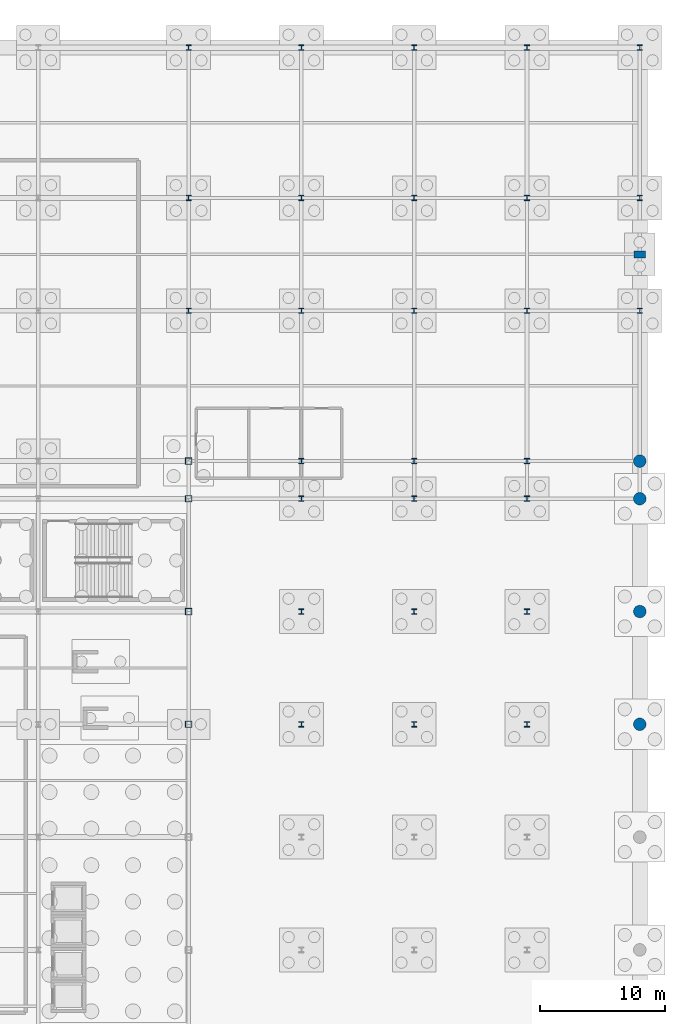
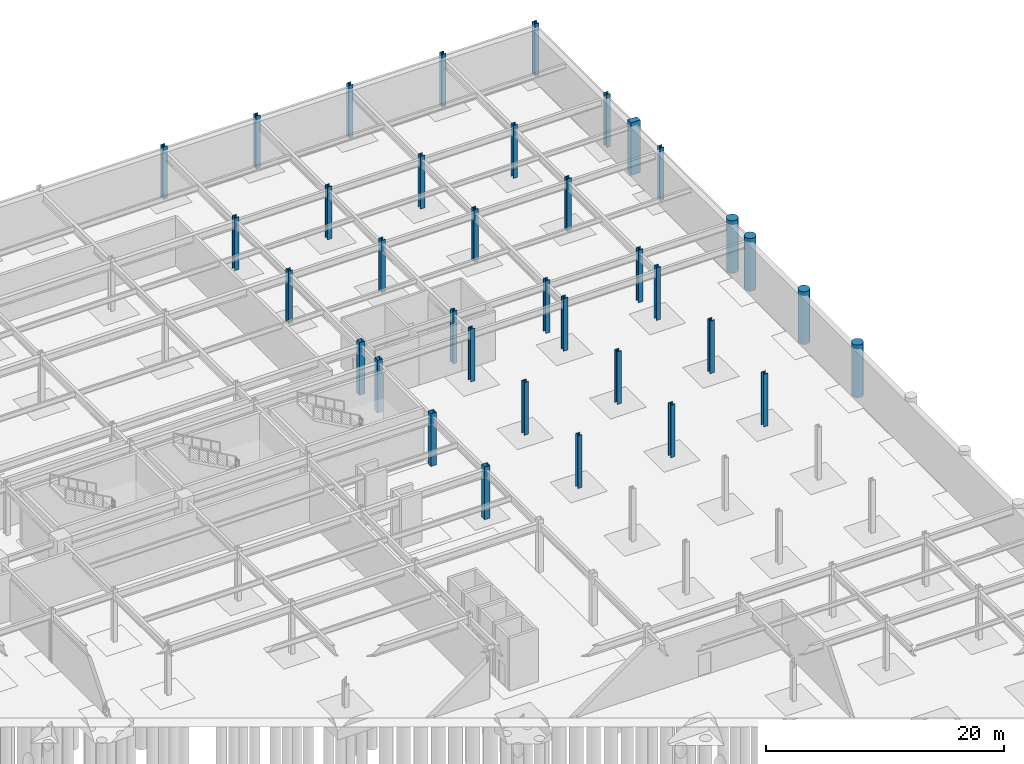
# One storey, part 17 of 47: 36 columns.
"""IFC4 building model written with IfcOpenShell, lengths in metres."""

from ifc_helpers import new_model, si_unit, direction, frame, origin, origin_2d, place, context, subcontext, project, spatial, rectangle, hollow_rectangle, circle, i_section, extrude, material, material_profile, profile_set, type_object, element, save


model = new_model("IFC4")

# Units and contexts
model_context = context("Model", 3, precision=1e-05, world=origin(), true_north=direction((0.0, 1.0)))
body_context = subcontext(model_context, "Body", "Model", "MODEL_VIEW")
ifc_project = project(units=[si_unit("LENGTHUNIT", "METRE"), si_unit("AREAUNIT", "SQUARE_METRE"), si_unit("VOLUMEUNIT", "CUBIC_METRE"), si_unit("PLANEANGLEUNIT", "RADIAN"), si_unit("MASSUNIT", "GRAM", prefix="KILO")], contexts=[model_context])

# Site, building, storey
site_placement = place(None, origin())
site = spatial("IfcSite", under=ifc_project, at=site_placement, CompositionType="ELEMENT")
building_placement = place(site_placement, origin())
building = spatial("IfcBuilding", under=site, at=building_placement, Name="Kaldorvane Square Convention Centre", CompositionType="ELEMENT")
storey_placement = place(building_placement, frame((0.0, 0.0, -5.399993896484375)))
storey = spatial("IfcBuildingStorey", under=building, at=storey_placement, Name="B01", CompositionType="ELEMENT", Elevation=-5.399993896484375)

# Columns
ifc_material_1 = material(Name="Steel ASTM A500 Gr. C", Category="steel")
ifc_material_profile_1 = material_profile(ifc_material_1, hollow_rectangle(XDim=0.50799560546875, YDim=0.50799560546875, WallThickness=0.014801025390625, at=origin_2d()), Name="HSS20X20X5/8")
ifc_profile_set_1 = profile_set([ifc_material_profile_1], Name="Steel ASTM A500 Gr. C")
column_type_1 = type_object("IfcColumnType", Name="COL-HSS-20", PredefinedType="COLUMN", material=ifc_profile_set_1)
for number, where, z_axis, x_axis, name in (
    (1, (138.0, 63.0, 0.0), (0.0, 0.0, 1.0), (1.0, 0.0, 0.0), "Column SC-13 (B01)"),
    (2, (138.0, 72.0, 0.0), (0.0, 0.0, 1.0), (1.0, 0.0, 0.0), "Column SC-13 (B01)"),
    (3, (138.0, 81.0, 0.0), (0.0, 0.0, 1.0), (1.0, 0.0, 0.0), "Column SC-13 (B01)"),
    (4, (138.0, 84.0, 0.0), (0.0, 0.0, 1.0), (1.0, 0.0, 0.0), "Column SC-13 (B01)"),
):
    element("IfcColumn", number, at=place(storey_placement, frame(where, z_axis=z_axis, x_axis=x_axis)), inside=storey, type_object=column_type_1, Name=name, PredefinedType="COLUMN", context=body_context, shape_type="SweptSolid", body=[
        extrude(hollow_rectangle(XDim=0.50799560546875, YDim=0.50799560546875, WallThickness=0.014801025390625, at=origin_2d()), origin(), (0.0, 0.0, 1.0), 5.399993896484375),
    ])
ifc_material_2 = material(Name="Concrete f'c = 55 MPa (Normalweight)", Category="concrete")
ifc_material_profile_2 = material_profile(ifc_material_2, circle(Radius=0.5, at=origin_2d()), Name="RC-D1000")
ifc_profile_set_2 = profile_set([ifc_material_profile_2], Name="Concrete f'c = 55 MPa (Normalweight)")
column_type_2 = type_object("IfcColumnType", Name="COL-RC-D1000", PredefinedType="COLUMN", material=ifc_profile_set_2)
for number, where, z_axis, x_axis, name in (
    (5, (174.0, 63.0, 0.0), (0.0, 0.0, 1.0), (1.0, 0.0, 0.0), "Column CC-08 (B01)"),
    (6, (174.0, 72.0, 0.0), (0.0, 0.0, 1.0), (1.0, 0.0, 0.0), "Column CC-08 (B01)"),
    (7, (174.0, 81.0, 0.0), (0.0, 0.0, 1.0), (1.0, 0.0, 0.0), "Column CC-08 (B01)"),
    (8, (174.0, 84.0, 0.0), (0.0, 0.0, 1.0), (1.0, 0.0, 0.0), "Column CC-08 (B01)"),
):
    element("IfcColumn", number, at=place(storey_placement, frame(where, z_axis=z_axis, x_axis=x_axis)), inside=storey, type_object=column_type_2, Name=name, PredefinedType="COLUMN", context=body_context, shape_type="SweptSolid", body=[
        extrude(circle(Radius=0.5, at=origin_2d()), origin(), (0.0, 0.0, 1.0), 5.399993896484375),
    ])
ifc_material_3 = material(Name="Steel ASTM A992 Gr. 50", Category="steel")
ifc_material_profile_3 = material_profile(ifc_material_3, i_section(OverallWidth=0.412200927734375, OverallDepth=0.4347991943359375, WebThickness=0.035797119140625, FlangeThickness=0.057403564453125, FilletRadius=0.0305023193359375, at=origin_2d()), Name="W14X311")
ifc_profile_set_3 = profile_set([ifc_material_profile_3], Name="Steel ASTM A992 Gr. 50")
column_type_3 = type_object("IfcColumnType", Name="COL-STL-311", PredefinedType="COLUMN", material=ifc_profile_set_3)
for number, where, z_axis, x_axis, name in (
    (9, (138.0, 96.0, 0.0), (0.0, 0.0, 1.0), (1.0, 0.0, 0.0), "Column SC-06 (B01)"),
    (10, (138.0, 105.0, 0.0), (0.0, 0.0, 1.0), (1.0, 0.0, 0.0), "Column SC-06 (B01)"),
    (11, (138.0, 117.0, 0.0), (0.0, 0.0, 1.0), (1.0, 0.0, 0.0), "Column SC-06 (B01)"),
    (12, (147.0, 63.0, 0.0), (0.0, 0.0, 1.0), (1.0, 0.0, 0.0), "Column SC-06 (B01)"),
    (13, (147.0, 72.0, 0.0), (0.0, 0.0, 1.0), (1.0, 0.0, 0.0), "Column SC-06 (B01)"),
    (14, (147.0, 81.0, 0.0), (0.0, 0.0, 1.0), (1.0, 0.0, 0.0), "Column SC-06 (B01)"),
    (15, (147.0, 84.0, 0.0), (0.0, 0.0, 1.0), (1.0, 0.0, 0.0), "Column SC-06 (B01)"),
    (16, (147.0, 96.0, 0.0), (0.0, 0.0, 1.0), (1.0, 0.0, 0.0), "Column SC-06 (B01)"),
    (17, (147.0, 105.0, 0.0), (0.0, 0.0, 1.0), (1.0, 0.0, 0.0), "Column SC-06 (B01)"),
    (18, (147.0, 117.0, 0.0), (0.0, 0.0, 1.0), (1.0, 0.0, 0.0), "Column SC-06 (B01)"),
    (19, (156.0, 63.0, 0.0), (0.0, 0.0, 1.0), (1.0, 0.0, 0.0), "Column SC-06 (B01)"),
    (20, (156.0, 72.0, 0.0), (0.0, 0.0, 1.0), (1.0, 0.0, 0.0), "Column SC-06 (B01)"),
    (21, (156.0, 81.0, 0.0), (0.0, 0.0, 1.0), (1.0, 0.0, 0.0), "Column SC-06 (B01)"),
    (22, (156.0, 84.0, 0.0), (0.0, 0.0, 1.0), (1.0, 0.0, 0.0), "Column SC-06 (B01)"),
    (23, (156.0, 96.0, 0.0), (0.0, 0.0, 1.0), (1.0, 0.0, 0.0), "Column SC-06 (B01)"),
    (24, (156.0, 105.0, 0.0), (0.0, 0.0, 1.0), (1.0, 0.0, 0.0), "Column SC-06 (B01)"),
    (25, (156.0, 117.0, 0.0), (0.0, 0.0, 1.0), (1.0, 0.0, 0.0), "Column SC-06 (B01)"),
    (26, (165.0, 63.0, 0.0), (0.0, 0.0, 1.0), (1.0, 0.0, 0.0), "Column SC-06 (B01)"),
    (27, (165.0, 72.0, 0.0), (0.0, 0.0, 1.0), (1.0, 0.0, 0.0), "Column SC-06 (B01)"),
    (28, (165.0, 81.0, 0.0), (0.0, 0.0, 1.0), (1.0, 0.0, 0.0), "Column SC-06 (B01)"),
    (29, (165.0, 84.0, 0.0), (0.0, 0.0, 1.0), (1.0, 0.0, 0.0), "Column SC-06 (B01)"),
    (30, (165.0, 96.0, 0.0), (0.0, 0.0, 1.0), (1.0, 0.0, 0.0), "Column SC-06 (B01)"),
    (31, (165.0, 105.0, 0.0), (0.0, 0.0, 1.0), (1.0, 0.0, 0.0), "Column SC-06 (B01)"),
    (32, (165.0, 117.0, 0.0), (0.0, 0.0, 1.0), (1.0, 0.0, 0.0), "Column SC-06 (B01)"),
    (33, (174.0, 96.0, 0.0), (0.0, 0.0, 1.0), (1.0, 0.0, 0.0), "Column SC-06 (B01)"),
    (34, (174.0, 105.0, 0.0), (0.0, 0.0, 1.0), (1.0, 0.0, 0.0), "Column SC-06 (B01)"),
    (35, (174.0, 117.0, 0.0), (0.0, 0.0, 1.0), (1.0, 0.0, 0.0), "Column SC-06 (B01)"),
):
    element("IfcColumn", number, at=place(storey_placement, frame(where, z_axis=z_axis, x_axis=x_axis)), inside=storey, type_object=column_type_3, Name=name, PredefinedType="COLUMN", context=body_context, shape_type="SweptSolid", body=[
        extrude(i_section(OverallWidth=0.412200927734375, OverallDepth=0.4347991943359375, WebThickness=0.035797119140625, FlangeThickness=0.057403564453125, FilletRadius=0.0305023193359375, at=origin_2d()), origin(), (0.0, 0.0, 1.0), 5.399993896484375),
    ])
ifc_material_4 = material(Name="Concrete f'c = 42 MPa (Normalweight)", Category="concrete")
ifc_material_profile_4 = material_profile(ifc_material_4, rectangle(XDim=0.5500030517578125, YDim=0.899993896484375, at=origin_2d()), Name="PIL900X550")
ifc_profile_set_4 = profile_set([ifc_material_profile_4], Name="Concrete f'c = 42 MPa (Normalweight)")
column_type_4 = type_object("IfcColumnType", Name="PIL-BRUT-900", PredefinedType="PILASTER", material=ifc_profile_set_4)
column_placement = place(storey_placement, frame((174.0, 100.5, 0.0), z_axis=(0.0, 0.0, 1.0), x_axis=(0.0, 1.0, 0.0)))
element("IfcColumn", 36, at=column_placement, inside=storey, type_object=column_type_4, Name="Brutalist Colonnade Pilaster (B01)", PredefinedType="PILASTER", context=body_context, shape_type="SweptSolid", body=[
    extrude(rectangle(XDim=0.5500030517578125, YDim=0.899993896484375, at=origin_2d()), origin(), (0.0, 0.0, 1.0), 5.399993896484375),
])

save(model, "model.ifc")
